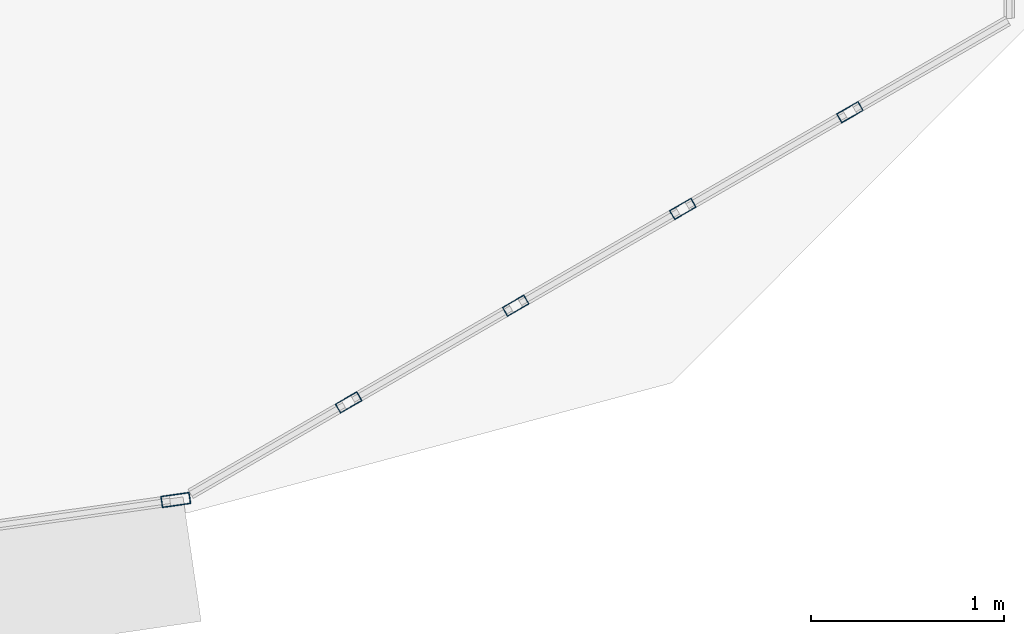
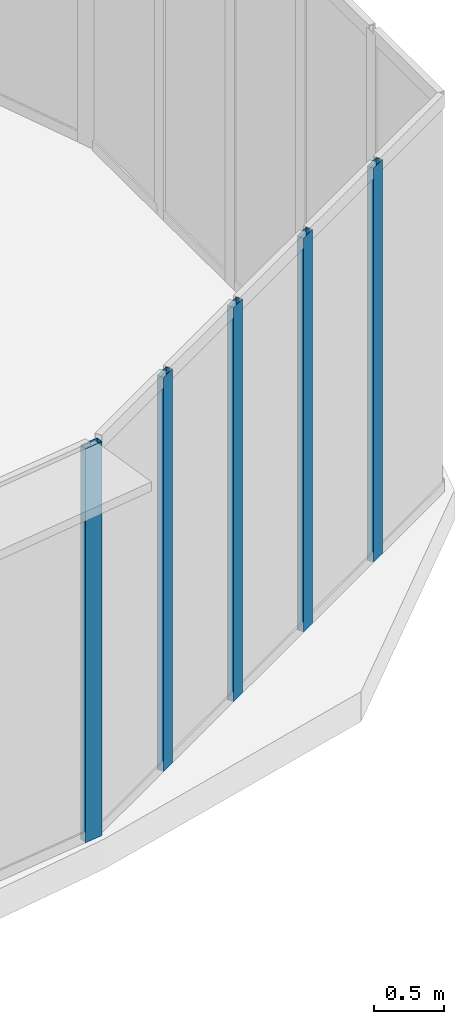
# One storey, part 22 of 42: 5 members, 2 elements without a shape of their own.
"""IFC4 building model written with IfcOpenShell, lengths in metres."""

import ifcopenshell
import ifcopenshell.guid

model = None  # the IFC model being written
_history = None  # IfcOwnerHistory: only IFC2X3 demands one
_inside = {}  # id of a spatial element -> (the spatial element, [elements in it])
_under = {}  # id of a project, library or spatial element -> (it, [spatial elements below it])
_declared = {}  # id of a project -> (the project, [libraries it declares])
_typed = {}  # id of a type object -> (the type object, [elements of that type])
_made_of = {}  # id of a material, layer set ... -> (it, [elements and type objects made of it])


def new_model(schema):
    """Start an empty IFC model of exactly this schema.

    Asked for "IFC4X3", IfcOpenShell would pick the latest addendum, in which some entities
    have other attributes; the version numbers below select the first issue.
    IFC2X3 requires an IfcOwnerHistory on every rooted entity: one is made here for all.
    """
    global model, _history
    if schema == "IFC4X3":
        model = ifcopenshell.file(schema_version=(4, 3, 0, 0))
    else:
        model = ifcopenshell.file(schema=schema)
    _inside.clear()
    _under.clear()
    _declared.clear()
    _typed.clear()
    _made_of.clear()
    _history = None
    if model.schema == "IFC2X3":
        org = make("IfcOrganization", Name="unknown")
        user = make(
            "IfcPersonAndOrganization",
            ThePerson=make("IfcPerson", FamilyName="unknown"),
            TheOrganization=org,
        )
        app = make(
            "IfcApplication",
            ApplicationDeveloper=org,
            Version="unknown",
            ApplicationFullName="unknown",
            ApplicationIdentifier="unknown",
        )
        _history = make(
            "IfcOwnerHistory",
            OwningUser=user,
            OwningApplication=app,
            ChangeAction="ADDED",
            CreationDate=0,
        )
    return model


def make(cls, **values):
    """One entity of the class cls with the attributes given. An attribute that is None is left unset."""
    return model.create_entity(
        cls, **{name: value for name, value in values.items() if value is not None}
    )


def rooted(cls, **values):
    """An entity with a GlobalId (a new one), such as an element, a storey or a relation."""
    return make(cls, GlobalId=ifcopenshell.guid.new(), OwnerHistory=_history, **values)


def si_unit(unit_type, name, prefix=None):
    """IfcSIUnit, for example si_unit("LENGTHUNIT", "METRE", prefix="MILLI")."""
    return make("IfcSIUnit", UnitType=unit_type, Prefix=prefix, Name=name)


def assignment(units):
    """IfcUnitAssignment: the units of a project."""
    return None if units is None else make("IfcUnitAssignment", Units=units)


def point(xyz):
    """IfcCartesianPoint."""
    return None if xyz is None else make("IfcCartesianPoint", Coordinates=xyz)


def direction(xyz):
    """IfcDirection."""
    return None if xyz is None else make("IfcDirection", DirectionRatios=xyz)


def frame(location, z_axis=None, x_axis=None):
    """IfcAxis2Placement3D, a coordinate frame: its origin and axes. An axis left out is left unset."""
    return make(
        "IfcAxis2Placement3D",
        Location=point(location),
        Axis=direction(z_axis),
        RefDirection=direction(x_axis),
    )


def frame_2d(location, x_axis=None):
    """IfcAxis2Placement2D, a coordinate frame in the plane: its origin and x axis."""
    return make(
        "IfcAxis2Placement2D", Location=point(location), RefDirection=direction(x_axis)
    )


def origin():
    """The frame at (0, 0, 0) with its axes left unset."""
    return frame((0.0, 0.0, 0.0))


def origin_2d():
    """The frame at (0, 0) in the plane with its x axis left unset."""
    return frame_2d((0.0, 0.0))


def place(relative_to, where):
    """IfcLocalPlacement: puts the frame where relative to a parent placement (None: the world)."""
    return make(
        "IfcLocalPlacement", PlacementRelTo=relative_to, RelativePlacement=where
    )


def context(
    kind, dimensions, precision=None, world=None, true_north=None, identifier=None
):
    """IfcGeometricRepresentationContext, for example the 3D "Model" context."""
    return make(
        "IfcGeometricRepresentationContext",
        ContextIdentifier=identifier,
        ContextType=kind,
        CoordinateSpaceDimension=dimensions,
        Precision=precision,
        WorldCoordinateSystem=world,
        TrueNorth=true_north,
    )


def subcontext(parent, identifier, kind, view, scale=None):
    """IfcGeometricRepresentationSubContext, for example "Body" below "Model"."""
    return make(
        "IfcGeometricRepresentationSubContext",
        ContextIdentifier=identifier,
        ContextType=kind,
        ParentContext=parent,
        TargetScale=scale,
        TargetView=view,
    )


def project(units=None, contexts=None):
    """IfcProject with its units and contexts."""
    return rooted(
        "IfcProject",
        Name="project",
        RepresentationContexts=contexts,
        UnitsInContext=assignment(units),
    )


def spatial(cls, under=None, at=None, **own):
    """A site, building, storey or space (cls), placed at a placement, below another one or the project."""
    s = rooted(cls, ObjectPlacement=at, **own)
    if under is not None:
        _under.setdefault(under.id(), (under, []))[1].append(s)
    return s


def profile(cls, at=None, kind="AREA", **sizes):
    """A parametric profile (cls). Its sizes go by their IFC names, for example OverallWidth=200.0."""
    return make(cls, ProfileType=kind, Position=at, **sizes)


def hollow_rectangle(**sizes):
    """IfcRectangleHollowProfileDef."""
    return profile("IfcRectangleHollowProfileDef", **sizes)


def extrude(swept, where, along, depth):
    """IfcExtrudedAreaSolid: the profile swept, set in the frame where, extruded along a direction by depth."""
    return make(
        "IfcExtrudedAreaSolid",
        SweptArea=swept,
        Position=where,
        ExtrudedDirection=direction(along),
        Depth=depth,
    )


def shape(context_of_items, identifier, shape_type, items):
    """IfcShapeRepresentation: the items that make up one representation, for example the "Body"."""
    return make(
        "IfcShapeRepresentation",
        ContextOfItems=context_of_items,
        RepresentationIdentifier=identifier,
        RepresentationType=shape_type,
        Items=items,
    )


def source(mapping_origin, context_of_items, identifier, shape_type, items):
    """IfcRepresentationMap: a shape defined once, which mapped items show again and again."""
    return make(
        "IfcRepresentationMap",
        MappingOrigin=mapping_origin,
        MappedRepresentation=shape(context_of_items, identifier, shape_type, items),
    )


def transform(
    local_origin,
    x_axis=None,
    y_axis=None,
    z_axis=None,
    scale=None,
    scale2=None,
    scale3=None,
    uniform=True,
):
    """IfcCartesianTransformationOperator3D, or its non-uniform kind. x_axis, y_axis, z_axis: its Axis1, 2, 3."""
    if uniform:
        return make(
            "IfcCartesianTransformationOperator3D",
            Axis1=direction(x_axis),
            Axis2=direction(y_axis),
            LocalOrigin=point(local_origin),
            Scale=scale,
            Axis3=direction(z_axis),
        )
    return make(
        "IfcCartesianTransformationOperator3DnonUniform",
        Axis1=direction(x_axis),
        Axis2=direction(y_axis),
        LocalOrigin=point(local_origin),
        Scale=scale,
        Axis3=direction(z_axis),
        Scale2=scale2,
        Scale3=scale3,
    )


def mapped(mapping_source, mapping_target):
    """IfcMappedItem: shows the shape of a source again, moved by a transform."""
    return make(
        "IfcMappedItem", MappingSource=mapping_source, MappingTarget=mapping_target
    )


def material(Name=None, Category=None):
    """IfcMaterial."""
    return make("IfcMaterial", Name=Name, Category=Category)


def layer(
    of_material, thickness, ventilated=None, Name=None, Category=None, Priority=None
):
    """IfcMaterialLayer: one layer of a wall or slab, of a material (None: an air gap)."""
    return make(
        "IfcMaterialLayer",
        Material=of_material,
        LayerThickness=thickness,
        IsVentilated=ventilated,
        Name=Name,
        Category=Category,
        Priority=Priority,
    )


def layer_set(layers, Name=None):
    """IfcMaterialLayerSet."""
    return make("IfcMaterialLayerSet", MaterialLayers=layers, LayerSetName=Name)


def material_profile(
    of_material, cross_section, Name=None, Category=None, Priority=None
):
    """IfcMaterialProfile: a cross section and its material."""
    return make(
        "IfcMaterialProfile",
        Name=Name,
        Material=of_material,
        Profile=cross_section,
        Priority=Priority,
        Category=Category,
    )


def profile_set(profiles, Name=None, composite=None):
    """IfcMaterialProfileSet."""
    return make(
        "IfcMaterialProfileSet",
        Name=Name,
        MaterialProfiles=profiles,
        CompositeProfile=composite,
    )


def made_of(thing, what):
    """Note that an element or type object is made of a material, layer set ...; save() writes the relation."""
    if what is not None:
        _made_of.setdefault(what.id(), (what, []))[1].append(thing)
    return thing


def type_object(cls, material=None, **own):
    """A type object (cls), such as IfcWallType, which elements share."""
    return made_of(rooted(cls, **own), material)


def element(
    cls,
    number,
    at=None,
    inside=None,
    cuts=None,
    type_object=None,
    material=None,
    context=None,
    identifier="Body",
    shape_type=None,
    held_by="IfcProductDefinitionShape",
    body=None,
    shapes=None,
    **own,
):
    """One element of the class cls, such as IfcWall. Its Tag is "e" and its number.

    at: its placement. inside: the storey or other place that contains it. cuts: it is an
    opening in that element (IfcRelVoidsElement). A single representation is given by context,
    identifier, shape_type and body (its items); several are given by shapes. held_by: the class
    of the entity that holds the representations. save() writes the other relations.
    """
    e = rooted(cls, Tag="e%d" % number, ObjectPlacement=at, **own)
    if body is not None:
        shapes = [shape(context, identifier, shape_type, body)]
    if shapes is not None:
        e.Representation = make(held_by, Representations=shapes)
    if inside is not None:
        _inside.setdefault(inside.id(), (inside, []))[1].append(e)
    if cuts is not None:
        rooted(
            "IfcRelVoidsElement", RelatingBuildingElement=cuts, RelatedOpeningElement=e
        )
    if type_object is not None:
        _typed.setdefault(type_object.id(), (type_object, []))[1].append(e)
    return made_of(e, material)


def aggregate(whole, parts):
    """IfcRelAggregates: a whole, such as a stair, and the parts it consists of."""
    return rooted("IfcRelAggregates", RelatingObject=whole, RelatedObjects=parts)


def save(model, path):
    """Write the relations noted so far, then the file.

    IfcRelAggregates (storeys below a building ...), IfcRelContainedInSpatialStructure (elements
    in a storey), IfcRelDefinesByType, IfcRelAssociatesMaterial and IfcRelDeclares: one each for
    every whole, place, type object, material and project.
    """
    for whole, parts in _under.values():
        aggregate(whole, parts)
    for where, things in _inside.values():
        rooted(
            "IfcRelContainedInSpatialStructure",
            RelatedElements=things,
            RelatingStructure=where,
        )
    for kind, things in _typed.values():
        rooted("IfcRelDefinesByType", RelatedObjects=things, RelatingType=kind)
    for what, things in _made_of.values():
        rooted("IfcRelAssociatesMaterial", RelatedObjects=things, RelatingMaterial=what)
    for by, libraries in _declared.values():
        rooted("IfcRelDeclares", RelatingContext=by, RelatedDefinitions=libraries)
    model.write(path)


model = new_model("IFC4")

# Units and contexts
model_context = context("Model", 3, precision=1e-05, world=origin(), true_north=direction((0.0, 1.0)))
body_context = subcontext(model_context, "Body", "Model", "MODEL_VIEW")
ifc_project = project(units=[si_unit("LENGTHUNIT", "METRE"), si_unit("AREAUNIT", "SQUARE_METRE"), si_unit("VOLUMEUNIT", "CUBIC_METRE"), si_unit("PLANEANGLEUNIT", "RADIAN"), si_unit("MASSUNIT", "GRAM", prefix="KILO"), si_unit("THERMODYNAMICTEMPERATUREUNIT", "KELVIN"), si_unit("POWERUNIT", "WATT")], contexts=[model_context])

# Site, building, storey
site_placement = place(None, origin())
site = spatial("IfcSite", under=ifc_project, at=site_placement, CompositionType="ELEMENT")
building_placement = place(site_placement, origin())
building = spatial("IfcBuilding", under=site, at=building_placement, Name="Yunzhuo Pagoda Commons", CompositionType="ELEMENT")
storey_placement = place(building_placement, frame((0.0, 0.0, 137.18994140625)))
storey = spatial("IfcBuildingStorey", under=building, at=storey_placement, Name="L34", CompositionType="ELEMENT", Elevation=137.18994140625)

# Curtain wall, member
ifc_material = material(Name="Anodized aluminium 6063-T6", Category="aluminium")
ifc_layer_1 = layer(ifc_material, 0.14990234375)
ifc_layer_set_1 = layer_set([ifc_layer_1], Name="Anodized aluminium 6063-T6")
curtain_wall_type_1 = type_object("IfcCurtainWallType", Name="CW-MID Mid-Zone Ribbon Curtain Wall", PredefinedType="NOTDEFINED", material=ifc_layer_set_1)
curtain_wall_1_placement = place(storey_placement, origin())
curtain_wall_1 = element("IfcCurtainWall", 1, at=curtain_wall_1_placement, inside=storey, type_object=curtain_wall_type_1, Name="L34 curtain wall CW-L34-F1B5", PredefinedType="NOTDEFINED")
ifc_material_profile_1 = material_profile(ifc_material, hollow_rectangle(XDim=0.06005859375, YDim=0.14990234375, WallThickness=0.00390625, at=origin_2d()), Name="Anodized aluminium 6063-T6")
ifc_profile_set_1 = profile_set([ifc_material_profile_1], Name="Anodized aluminium 6063-T6")
member_type_1 = type_object("IfcMemberType", Name="CW-MID-M Mullion RHS 150x60x4", PredefinedType="MULLION", material=ifc_profile_set_1)
shared_shape_1 = source(origin(), body_context, "Body", "SweptSolid", [
    extrude(hollow_rectangle(XDim=0.06005859375, YDim=0.14990234375, WallThickness=0.00390625, at=origin_2d()), origin(), (0.0, 0.0, 1.0), 3.420166015625),
])
member_1_placement = place(storey_placement, frame((83.9423828125, 16.254638671875, 0.0), z_axis=(0.0, 0.0, 1.0), x_axis=(-0.140026939768, 0.990147694104, 0.0)))
member_1 = element("IfcMember", 2, at=member_1_placement, type_object=member_type_1, Name="CW mullion 2", PredefinedType="MULLION", context=body_context, shape_type="MappedRepresentation", body=[
    mapped(shared_shape_1, transform((0.0, 0.0, 0.0), scale=1.0)),
])
aggregate(curtain_wall_1, [member_1])

# Curtain wall, members
ifc_layer_2 = layer(ifc_material, 0.1298828125)
ifc_layer_set_2 = layer_set([ifc_layer_2], Name="Anodized aluminium 6063-T6")
curtain_wall_type_2 = type_object("IfcCurtainWallType", Name="CW-VTX Rounded Corner Curtain Wall", PredefinedType="NOTDEFINED", material=ifc_layer_set_2)
curtain_wall_2_placement = place(storey_placement, origin())
curtain_wall_2 = element("IfcCurtainWall", 3, at=curtain_wall_2_placement, inside=storey, type_object=curtain_wall_type_2, Name="L34 curtain wall CW-L34-VTX2S1", PredefinedType="NOTDEFINED")
ifc_material_profile_2 = material_profile(ifc_material, hollow_rectangle(XDim=0.054931640625, YDim=0.1298828125, WallThickness=0.00341796875, at=origin_2d()), Name="Anodized aluminium 6063-T6")
ifc_profile_set_2 = profile_set([ifc_material_profile_2], Name="Anodized aluminium 6063-T6")
member_type_2 = type_object("IfcMemberType", Name="CW-VTX-M Mullion RHS 130x55x3.5", PredefinedType="MULLION", material=ifc_profile_set_2)
shared_shape_2 = source(origin(), body_context, "Body", "SweptSolid", [
    extrude(hollow_rectangle(XDim=0.054931640625, YDim=0.1298828125, WallThickness=0.00341796875, at=origin_2d()), origin(), (0.0, 0.0, 1.0), 3.420166015625),
])
member_2_placement = place(storey_placement, frame((84.836181640625, 16.759033203125, 0.0), z_axis=(0.0, 0.0, 1.0), x_axis=(-0.501037850191, 0.865425370946, 0.0)))
member_2 = element("IfcMember", 4, at=member_2_placement, type_object=member_type_2, Name="CW mullion 2", PredefinedType="MULLION", context=body_context, shape_type="MappedRepresentation", body=[
    mapped(shared_shape_2, transform((0.0, 0.0, 0.0), scale=1.0)),
])
member_3_placement = place(storey_placement, frame((85.69970703125, 17.259033203125, 0.0), z_axis=(0.0, 0.0, 1.0), x_axis=(-0.501037850191, 0.865425370946, 0.0)))
member_3 = element("IfcMember", 5, at=member_3_placement, type_object=member_type_2, Name="CW mullion 3", PredefinedType="MULLION", context=body_context, shape_type="MappedRepresentation", body=[
    mapped(shared_shape_2, transform((0.0, 0.0, 0.0), scale=1.0)),
])
member_4_placement = place(storey_placement, frame((86.5634765625, 17.75927734375, 0.0), z_axis=(0.0, 0.0, 1.0), x_axis=(-0.501037850191, 0.865425370946, 0.0)))
member_4 = element("IfcMember", 6, at=member_4_placement, type_object=member_type_2, Name="CW mullion 4", PredefinedType="MULLION", context=body_context, shape_type="MappedRepresentation", body=[
    mapped(shared_shape_2, transform((0.0, 0.0, 0.0), scale=1.0)),
])
member_5_placement = place(storey_placement, frame((87.42724609375, 18.25927734375, 0.0), z_axis=(0.0, 0.0, 1.0), x_axis=(-0.501037850191, 0.865425370946, 0.0)))
member_5 = element("IfcMember", 7, at=member_5_placement, type_object=member_type_2, Name="CW mullion 5", PredefinedType="MULLION", context=body_context, shape_type="MappedRepresentation", body=[
    mapped(shared_shape_2, transform((0.0, 0.0, 0.0), scale=1.0)),
])
aggregate(curtain_wall_2, [member_2, member_3, member_4, member_5])

save(model, "model.ifc")
